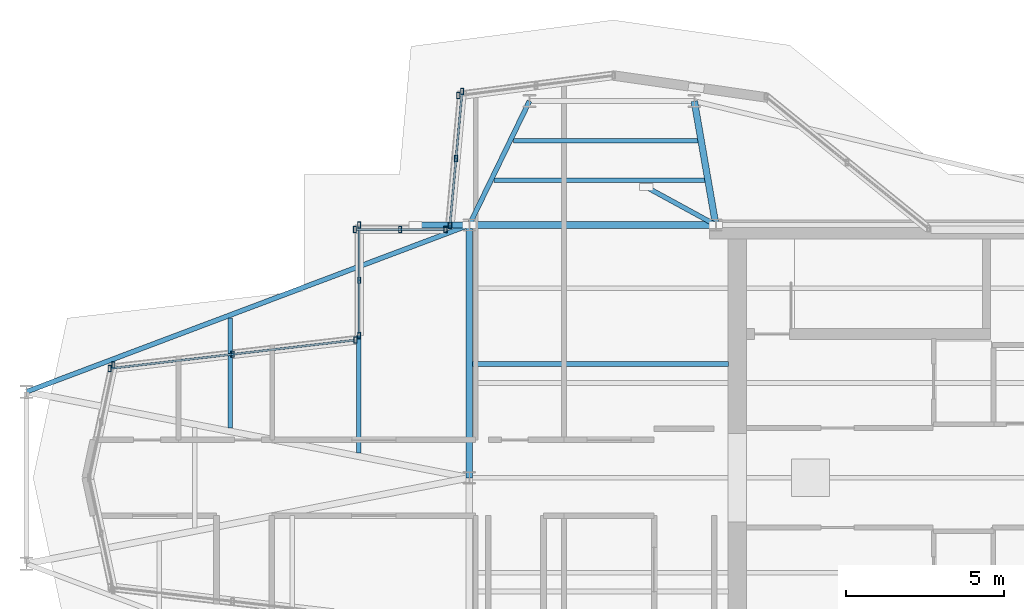
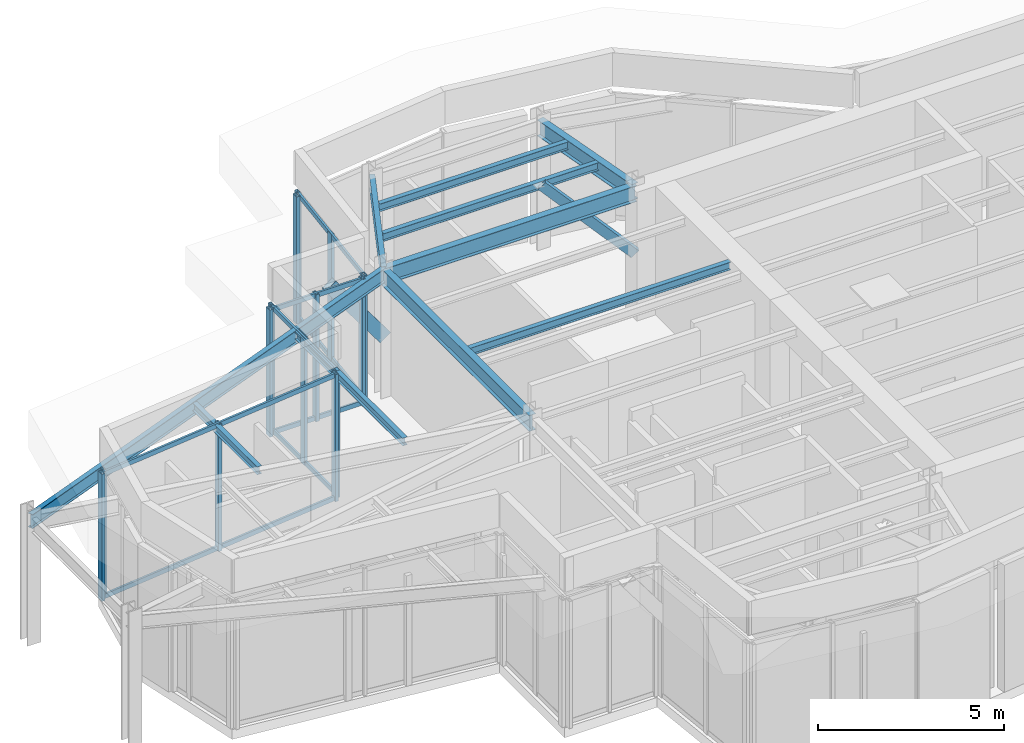
# One storey, part 5 of 11: 24 members, 10 beams, 6 elements without a shape of their own.
"""IFC4 building model written with IfcOpenShell, lengths in metres."""

from ifc_helpers import new_model, si_unit, direction, frame, origin, origin_2d, place, context, subcontext, project, spatial, hollow_rectangle, i_section, extrude, material, layer, layer_set, material_profile, profile_set, type_object, element, aggregate, save


model = new_model("IFC4")

# Units and contexts
model_context = context("Model", 3, precision=1e-05, world=origin(), true_north=direction((0.0, 1.0)))
body_context = subcontext(model_context, "Body", "Model", "MODEL_VIEW")
ifc_project = project(units=[si_unit("LENGTHUNIT", "METRE"), si_unit("AREAUNIT", "SQUARE_METRE"), si_unit("VOLUMEUNIT", "CUBIC_METRE"), si_unit("PLANEANGLEUNIT", "RADIAN"), si_unit("MASSUNIT", "GRAM", prefix="KILO")], contexts=[model_context])

# Site, building, storey
site_placement = place(None, origin())
site = spatial("IfcSite", under=ifc_project, at=site_placement, CompositionType="ELEMENT")
building_placement = place(site_placement, origin())
building = spatial("IfcBuilding", under=site, at=building_placement, Name="Veymaron Broadcast Tower", CompositionType="ELEMENT")
storey_placement = place(building_placement, frame((0.0, 0.0, 336.89990234375)))
storey = spatial("IfcBuildingStorey", under=building, at=storey_placement, Name="L79", CompositionType="ELEMENT", Elevation=336.89990234375)

# Beams
ifc_material_1 = material(Name="Structural steel ASTM A992 Gr 50", Category="steel")
ifc_material_profile_1 = material_profile(ifc_material_1, i_section(OverallWidth=0.208984375, OverallDepth=0.528076171875, WebThickness=0.009521484375, FlangeThickness=0.01318359375, at=origin_2d()), Name="W530X82")
ifc_profile_set_1 = profile_set([ifc_material_profile_1], Name="Structural steel ASTM A992 Gr 50")
beam_type_1 = type_object("IfcBeamType", Name="BM-FG4", PredefinedType="BEAM", material=ifc_profile_set_1)
beam_1_placement = place(storey_placement, frame((31.199951171875, 24.0, 3.906005859375), z_axis=(0.0, 1.0, 0.0), x_axis=(-1.0, 0.0, 0.0)))
element("IfcBeam", 1, at=beam_1_placement, inside=storey, type_object=beam_type_1, Name="L79 primary structural floor girder", PredefinedType="BEAM", context=body_context, shape_type="SweptSolid", body=[
    extrude(i_section(OverallWidth=0.208984375, OverallDepth=0.528076171875, WebThickness=0.009521484375, FlangeThickness=0.01318359375, at=origin_2d()), origin(), (0.0, 0.0, 1.0), 8.0),
])
beam_2_placement = place(storey_placement, frame((31.199951171875, 32.0, 3.906005859375), z_axis=(1.0, 0.0, 0.0), x_axis=(0.0, 1.0, 0.0)))
element("IfcBeam", 2, at=beam_2_placement, inside=storey, type_object=beam_type_1, Name="L79 primary structural floor girder", PredefinedType="BEAM", context=body_context, shape_type="SweptSolid", body=[
    extrude(i_section(OverallWidth=0.208984375, OverallDepth=0.528076171875, WebThickness=0.009521484375, FlangeThickness=0.01318359375, at=origin_2d()), origin(), (0.0, 0.0, 1.0), 7.800048828125),
])
beam_3_placement = place(storey_placement, frame((39.0, 32.0, 3.906005859375), z_axis=(-0.170903490874, 0.985287773601, 0.0), x_axis=(-0.985287773601, -0.170903490874, 0.0)))
element("IfcBeam", 3, at=beam_3_placement, inside=storey, type_object=beam_type_1, Name="L79 primary structural floor girder", PredefinedType="BEAM", context=body_context, shape_type="SweptSolid", body=[
    extrude(i_section(OverallWidth=0.208984375, OverallDepth=0.528076171875, WebThickness=0.009521484375, FlangeThickness=0.01318359375, at=origin_2d()), origin(), (0.0, 0.0, 1.0), 3.978515625),
])
ifc_material_profile_2 = material_profile(ifc_material_1, i_section(OverallWidth=0.14599609375, OverallDepth=0.258056640625, WebThickness=0.006103515625, FlangeThickness=0.009033203125, at=origin_2d()), Name="W250X33")
ifc_profile_set_2 = profile_set([ifc_material_profile_2], Name="Structural steel ASTM A992 Gr 50")
beam_type_2 = type_object("IfcBeamType", Name="BM-JS4", PredefinedType="JOIST", material=ifc_profile_set_2)
beam_4_placement = place(storey_placement, frame((23.63134765625, 25.56884765625, 4.041015625), z_axis=(0.0, 1.0, 0.0), x_axis=(-1.0, 0.0, 0.0)))
element("IfcBeam", 4, at=beam_4_placement, inside=storey, type_object=beam_type_2, Name="L79 Arm-A secondary joist 1N", PredefinedType="JOIST", context=body_context, shape_type="SweptSolid", body=[
    extrude(i_section(OverallWidth=0.14599609375, OverallDepth=0.258056640625, WebThickness=0.006103515625, FlangeThickness=0.009033203125, at=origin_2d()), origin(), (0.0, 0.0, 1.0), 3.47998046875),
])
beam_5_placement = place(storey_placement, frame((27.696044921875, 24.780029296875, 4.041015625), z_axis=(0.0, 1.0, 0.0), x_axis=(-1.0, 0.0, 0.0)))
element("IfcBeam", 5, at=beam_5_placement, inside=storey, type_object=beam_type_2, Name="L79 Arm-A secondary joist 2N", PredefinedType="JOIST", context=body_context, shape_type="SweptSolid", body=[
    extrude(i_section(OverallWidth=0.14599609375, OverallDepth=0.258056640625, WebThickness=0.006103515625, FlangeThickness=0.009033203125, at=origin_2d()), origin(), (0.0, 0.0, 1.0), 5.800048828125),
])
beam_6_placement = place(storey_placement, frame((31.9853515625, 33.4111328125, 4.041015625), z_axis=(1.0, 0.0, 0.0), x_axis=(0.0, 1.0, 0.0)))
element("IfcBeam", 6, at=beam_6_placement, inside=storey, type_object=beam_type_2, Name="L79 Arm-B secondary joist 1", PredefinedType="JOIST", context=body_context, shape_type="SweptSolid", body=[
    extrude(i_section(OverallWidth=0.14599609375, OverallDepth=0.258056640625, WebThickness=0.006103515625, FlangeThickness=0.009033203125, at=origin_2d()), origin(), (0.0, 0.0, 1.0), 6.669921875),
])
beam_7_placement = place(storey_placement, frame((32.5947265625, 34.66552734375, 4.041015625), z_axis=(1.0, 0.0, 0.0), x_axis=(0.0, 1.0, 0.0)))
element("IfcBeam", 7, at=beam_7_placement, inside=storey, type_object=beam_type_2, Name="L79 Arm-B secondary joist 2", PredefinedType="JOIST", context=body_context, shape_type="SweptSolid", body=[
    extrude(i_section(OverallWidth=0.14599609375, OverallDepth=0.258056640625, WebThickness=0.006103515625, FlangeThickness=0.009033203125, at=origin_2d()), origin(), (0.0, 0.0, 1.0), 5.8427734375),
])
beam_8_placement = place(storey_placement, frame((31.300048828125, 27.60009765625, 4.041015625), z_axis=(1.0, 0.0, 0.0), x_axis=(0.0, 1.0, 0.0)))
element("IfcBeam", 8, at=beam_8_placement, inside=storey, type_object=beam_type_2, Name="L79 Hub secondary joist 3", PredefinedType="JOIST", context=body_context, shape_type="SweptSolid", body=[
    extrude(i_section(OverallWidth=0.14599609375, OverallDepth=0.258056640625, WebThickness=0.006103515625, FlangeThickness=0.009033203125, at=origin_2d()), origin(), (0.0, 0.0, 1.0), 8.099853515625),
])
ifc_material_profile_3 = material_profile(ifc_material_1, i_section(OverallWidth=0.154052734375, OverallDepth=0.458984375, WebThickness=0.009033203125, FlangeThickness=0.015380859375, at=origin_2d()), Name="W460X68")
ifc_profile_set_3 = profile_set([ifc_material_profile_3], Name="Structural steel ASTM A992 Gr 50")
beam_type_3 = type_object("IfcBeamType", Name="BM-SP2", PredefinedType="SPANDREL", material=ifc_profile_set_3)
beam_9_placement = place(storey_placement, frame((17.18408203125, 26.719970703125, 3.940673828125), z_axis=(0.935799576277, 0.352532485083, 0.0), x_axis=(-0.352532485083, 0.935799576277, 0.0)))
element("IfcBeam", 9, at=beam_9_placement, inside=storey, type_object=beam_type_3, Name="L79 primary structural floor girder", PredefinedType="SPANDREL", context=body_context, shape_type="SweptSolid", body=[
    extrude(i_section(OverallWidth=0.154052734375, OverallDepth=0.458984375, WebThickness=0.009033203125, FlangeThickness=0.015380859375, at=origin_2d()), origin(), (0.0, 0.0, 1.0), 14.9775390625),
])
beam_10_placement = place(storey_placement, frame((31.199951171875, 32.0, 3.940673828125), z_axis=(0.436920799064, 0.899499980737, 0.0), x_axis=(-0.899499980737, 0.436920799064, 0.0)))
element("IfcBeam", 10, at=beam_10_placement, inside=storey, type_object=beam_type_3, Name="L79 primary structural floor girder", PredefinedType="SPANDREL", context=body_context, shape_type="SweptSolid", body=[
    extrude(i_section(OverallWidth=0.154052734375, OverallDepth=0.458984375, WebThickness=0.009033203125, FlangeThickness=0.015380859375, at=origin_2d()), origin(), (0.0, 0.0, 1.0), 4.35791015625),
])

# Curtain wall, member
ifc_material_2 = material(Name="Anodised aluminium AA 6063-T6 and laminated low-E dark glass", Category="aluminium")
ifc_layer = layer(ifc_material_2, 0.179931640625)
ifc_layer_set = layer_set([ifc_layer], Name="Anodised aluminium AA 6063-T6 and laminated low-E dark glass")
curtain_wall_type = type_object("IfcCurtainWallType", Name="CW-SYS-07", PredefinedType="NOTDEFINED", material=ifc_layer_set)
curtain_wall_1_placement = place(storey_placement, origin())
curtain_wall_1 = element("IfcCurtainWall", 11, at=curtain_wall_1_placement, inside=storey, type_object=curtain_wall_type, Name="L79 dark-glass curtain wall CW-L79-E7-1", PredefinedType="NOTDEFINED")
ifc_material_3 = material(Name="Anodised aluminium AA 6063-T6", Category="aluminium")
ifc_material_profile_4 = material_profile(ifc_material_3, hollow_rectangle(XDim=0.10009765625, YDim=0.199951171875, WallThickness=0.010009765625, at=origin_2d()), Name="RHS200X100X10")
ifc_profile_set_4 = profile_set([ifc_material_profile_4], Name="Anodised aluminium AA 6063-T6")
member_type_1 = type_object("IfcMemberType", Name="CW-MUL-01", PredefinedType="MULLION", material=ifc_profile_set_4)
member_1_placement = place(storey_placement, frame((30.8505859375, 36.09326171875, 0.0), z_axis=(0.0, 0.0, 1.0), x_axis=(1.0, 0.0, 0.0)))
member_1 = element("IfcMember", 12, at=member_1_placement, type_object=member_type_1, Name="CW-L79-E7-1 mullion 2", PredefinedType="MULLION", context=body_context, shape_type="SweptSolid", body=[
    extrude(hollow_rectangle(XDim=0.10009765625, YDim=0.199951171875, WallThickness=0.010009765625, at=origin_2d()), origin(), (0.0, 0.0, 1.0), 4.170166015625),
])
aggregate(curtain_wall_1, [member_1])

# Curtain wall, members
curtain_wall_2_placement = place(storey_placement, origin())
curtain_wall_2 = element("IfcCurtainWall", 13, at=curtain_wall_2_placement, inside=storey, type_object=curtain_wall_type, Name="L79 dark-glass curtain wall CW-L79-E8-1", PredefinedType="NOTDEFINED")
member_2_placement = place(storey_placement, frame((30.9716796875, 36.219482421875, 0.0), z_axis=(0.0, 0.0, 1.0), x_axis=(1.0, 0.0, 0.0)))
member_2 = element("IfcMember", 14, at=member_2_placement, type_object=member_type_1, Name="CW-L79-E8-1 mullion 0", PredefinedType="MULLION", context=body_context, shape_type="SweptSolid", body=[
    extrude(hollow_rectangle(XDim=0.10009765625, YDim=0.199951171875, WallThickness=0.010009765625, at=origin_2d()), origin(), (0.0, 0.0, 1.0), 4.170166015625),
])
member_3_placement = place(storey_placement, frame((30.77978515625, 34.103515625, 0.0), z_axis=(0.0, 0.0, 1.0), x_axis=(1.0, 0.0, 0.0)))
member_3 = element("IfcMember", 15, at=member_3_placement, type_object=member_type_1, Name="CW-L79-E8-1 mullion 1", PredefinedType="MULLION", context=body_context, shape_type="SweptSolid", body=[
    extrude(hollow_rectangle(XDim=0.10009765625, YDim=0.199951171875, WallThickness=0.010009765625, at=origin_2d()), origin(), (0.0, 0.0, 1.0), 4.170166015625),
])
member_4_placement = place(storey_placement, frame((30.587890625, 31.9873046875, 0.0), z_axis=(0.0, 0.0, 1.0), x_axis=(1.0, 0.0, 0.0)))
member_4 = element("IfcMember", 16, at=member_4_placement, type_object=member_type_1, Name="CW-L79-E8-1 mullion 2", PredefinedType="MULLION", context=body_context, shape_type="SweptSolid", body=[
    extrude(hollow_rectangle(XDim=0.10009765625, YDim=0.199951171875, WallThickness=0.010009765625, at=origin_2d()), origin(), (0.0, 0.0, 1.0), 4.170166015625),
])

curtain_wall_3_placement = place(storey_placement, origin())
curtain_wall_3 = element("IfcCurtainWall", 17, at=curtain_wall_3_placement, inside=storey, type_object=curtain_wall_type, Name="L79 dark-glass curtain wall CW-L79-E9-1", PredefinedType="NOTDEFINED")
member_5_placement = place(storey_placement, frame((30.448486328125, 31.860107421875, 0.0), z_axis=(0.0, 0.0, 1.0), x_axis=(1.0, 0.0, 0.0)))
member_5 = element("IfcMember", 18, at=member_5_placement, type_object=member_type_1, Name="CW-L79-E9-1 mullion 0", PredefinedType="MULLION", context=body_context, shape_type="SweptSolid", body=[
    extrude(hollow_rectangle(XDim=0.10009765625, YDim=0.199951171875, WallThickness=0.010009765625, at=origin_2d()), origin(), (0.0, 0.0, 1.0), 4.170166015625),
])
member_6_placement = place(storey_placement, frame((29.01220703125, 31.860107421875, 0.0), z_axis=(0.0, 0.0, 1.0), x_axis=(1.0, 0.0, 0.0)))
member_6 = element("IfcMember", 19, at=member_6_placement, type_object=member_type_1, Name="CW-L79-E9-1 mullion 1", PredefinedType="MULLION", context=body_context, shape_type="SweptSolid", body=[
    extrude(hollow_rectangle(XDim=0.10009765625, YDim=0.199951171875, WallThickness=0.010009765625, at=origin_2d()), origin(), (0.0, 0.0, 1.0), 4.170166015625),
])
member_7_placement = place(storey_placement, frame((27.575927734375, 31.860107421875, 0.0), z_axis=(0.0, 0.0, 1.0), x_axis=(1.0, 0.0, 0.0)))
member_7 = element("IfcMember", 20, at=member_7_placement, type_object=member_type_1, Name="CW-L79-E9-1 mullion 2", PredefinedType="MULLION", context=body_context, shape_type="SweptSolid", body=[
    extrude(hollow_rectangle(XDim=0.10009765625, YDim=0.199951171875, WallThickness=0.010009765625, at=origin_2d()), origin(), (0.0, 0.0, 1.0), 4.170166015625),
])

curtain_wall_4_placement = place(storey_placement, origin())
curtain_wall_4 = element("IfcCurtainWall", 21, at=curtain_wall_4_placement, inside=storey, type_object=curtain_wall_type, Name="L79 dark-glass curtain wall CW-L79-E10-1", PredefinedType="NOTDEFINED")
member_8_placement = place(storey_placement, frame((27.716064453125, 32.0, 0.0), z_axis=(0.0, 0.0, 1.0), x_axis=(1.0, 0.0, 0.0)))
member_8 = element("IfcMember", 22, at=member_8_placement, type_object=member_type_1, Name="CW-L79-E10-1 mullion 0", PredefinedType="MULLION", context=body_context, shape_type="SweptSolid", body=[
    extrude(hollow_rectangle(XDim=0.10009765625, YDim=0.199951171875, WallThickness=0.010009765625, at=origin_2d()), origin(), (0.0, 0.0, 1.0), 4.170166015625),
])
member_9_placement = place(storey_placement, frame((27.716064453125, 30.2490234375, 0.0), z_axis=(0.0, 0.0, 1.0), x_axis=(1.0, 0.0, 0.0)))
member_9 = element("IfcMember", 23, at=member_9_placement, type_object=member_type_1, Name="CW-L79-E10-1 mullion 1", PredefinedType="MULLION", context=body_context, shape_type="SweptSolid", body=[
    extrude(hollow_rectangle(XDim=0.10009765625, YDim=0.199951171875, WallThickness=0.010009765625, at=origin_2d()), origin(), (0.0, 0.0, 1.0), 4.170166015625),
])
member_10_placement = place(storey_placement, frame((27.716064453125, 28.498046875, 0.0), z_axis=(0.0, 0.0, 1.0), x_axis=(1.0, 0.0, 0.0)))
member_10 = element("IfcMember", 24, at=member_10_placement, type_object=member_type_1, Name="CW-L79-E10-1 mullion 2", PredefinedType="MULLION", context=body_context, shape_type="SweptSolid", body=[
    extrude(hollow_rectangle(XDim=0.10009765625, YDim=0.199951171875, WallThickness=0.010009765625, at=origin_2d()), origin(), (0.0, 0.0, 1.0), 4.170166015625),
])

curtain_wall_5_placement = place(storey_placement, origin())
curtain_wall_5 = element("IfcCurtainWall", 25, at=curtain_wall_5_placement, inside=storey, type_object=curtain_wall_type, Name="L79 dark-glass curtain wall CW-L79-E11-1", PredefinedType="NOTDEFINED")
member_11_placement = place(storey_placement, frame((27.592041015625, 28.35888671875, 0.0), z_axis=(0.0, 0.0, 1.0), x_axis=(1.0, 0.0, 0.0)))
member_11 = element("IfcMember", 26, at=member_11_placement, type_object=member_type_1, Name="CW-L79-E11-1 mullion 0", PredefinedType="MULLION", context=body_context, shape_type="SweptSolid", body=[
    extrude(hollow_rectangle(XDim=0.10009765625, YDim=0.199951171875, WallThickness=0.010009765625, at=origin_2d()), origin(), (0.0, 0.0, 1.0), 4.170166015625),
])
member_12_placement = place(storey_placement, frame((23.7041015625, 27.907470703125, 0.0), z_axis=(0.0, 0.0, 1.0), x_axis=(1.0, 0.0, 0.0)))
member_12 = element("IfcMember", 27, at=member_12_placement, type_object=member_type_1, Name="CW-L79-E11-1 mullion 1", PredefinedType="MULLION", context=body_context, shape_type="SweptSolid", body=[
    extrude(hollow_rectangle(XDim=0.10009765625, YDim=0.199951171875, WallThickness=0.010009765625, at=origin_2d()), origin(), (0.0, 0.0, 1.0), 4.170166015625),
])
member_13_placement = place(storey_placement, frame((19.816162109375, 27.4560546875, 0.0), z_axis=(0.0, 0.0, 1.0), x_axis=(1.0, 0.0, 0.0)))
member_13 = element("IfcMember", 28, at=member_13_placement, type_object=member_type_1, Name="CW-L79-E11-1 mullion 2", PredefinedType="MULLION", context=body_context, shape_type="SweptSolid", body=[
    extrude(hollow_rectangle(XDim=0.10009765625, YDim=0.199951171875, WallThickness=0.010009765625, at=origin_2d()), origin(), (0.0, 0.0, 1.0), 4.170166015625),
])

# Curtain wall, member
curtain_wall_6_placement = place(storey_placement, origin())
curtain_wall_6 = element("IfcCurtainWall", 29, at=curtain_wall_6_placement, inside=storey, type_object=curtain_wall_type, Name="L79 dark-glass curtain wall CW-L79-E12-1", PredefinedType="NOTDEFINED")
member_14_placement = place(storey_placement, frame((19.93701171875, 27.56591796875, 0.0), z_axis=(0.0, 0.0, 1.0), x_axis=(1.0, 0.0, 0.0)))
member_14 = element("IfcMember", 30, at=member_14_placement, type_object=member_type_1, Name="CW-L79-E12-1 mullion 0", PredefinedType="MULLION", context=body_context, shape_type="SweptSolid", body=[
    extrude(hollow_rectangle(XDim=0.10009765625, YDim=0.199951171875, WallThickness=0.010009765625, at=origin_2d()), origin(), (0.0, 0.0, 1.0), 4.170166015625),
])
aggregate(curtain_wall_6, [member_14])

# Member
ifc_material_profile_5 = material_profile(ifc_material_3, hollow_rectangle(XDim=0.06494140625, YDim=0.14990234375, WallThickness=0.00390625, at=origin_2d()), Name="AL150X65X4")
ifc_profile_set_5 = profile_set([ifc_material_profile_5], Name="Anodised aluminium AA 6063-T6")
member_type_2 = type_object("IfcMemberType", Name="CW-TRN-01", PredefinedType="USERDEFINED", material=ifc_profile_set_5)
member_15_placement = place(storey_placement, frame((30.96728515625, 36.169677734375, 0.070068359375), z_axis=(-0.090312939387, -0.995913436489, 0.0), x_axis=(0.995913436489, -0.090312939387, 0.0)))
member_15 = element("IfcMember", 31, at=member_15_placement, type_object=member_type_2, Name="CW-L79-E8-1 transom B", ObjectType="TRANSOM", PredefinedType="USERDEFINED", context=body_context, shape_type="SweptSolid", body=[
    extrude(hollow_rectangle(XDim=0.06494140625, YDim=0.14990234375, WallThickness=0.00390625, at=origin_2d()), origin(), (0.0, 0.0, 1.0), 4.1494140625),
])

member_16_placement = place(storey_placement, frame((30.96728515625, 36.169677734375, 4.10009765625), z_axis=(-0.090312939387, -0.995913436489, 0.0), x_axis=(0.995913436489, -0.090312939387, 0.0)))
member_16 = element("IfcMember", 32, at=member_16_placement, type_object=member_type_2, Name="CW-L79-E8-1 transom T", ObjectType="TRANSOM", PredefinedType="USERDEFINED", context=body_context, shape_type="SweptSolid", body=[
    extrude(hollow_rectangle(XDim=0.06494140625, YDim=0.14990234375, WallThickness=0.00390625, at=origin_2d()), origin(), (0.0, 0.0, 1.0), 4.1494140625),
])

aggregate(curtain_wall_2, [member_2, member_3, member_4, member_15, member_16])

member_17_placement = place(storey_placement, frame((30.398681640625, 31.860107421875, 0.070068359375), z_axis=(-1.0, 0.0, 0.0), x_axis=(0.0, -1.0, 0.0)))
member_17 = element("IfcMember", 33, at=member_17_placement, type_object=member_type_2, Name="CW-L79-E9-1 transom B", ObjectType="TRANSOM", PredefinedType="USERDEFINED", context=body_context, shape_type="SweptSolid", body=[
    extrude(hollow_rectangle(XDim=0.06494140625, YDim=0.14990234375, WallThickness=0.00390625, at=origin_2d()), origin(), (0.0, 0.0, 1.0), 2.772705078125),
])

member_18_placement = place(storey_placement, frame((30.398681640625, 31.860107421875, 4.10009765625), z_axis=(-1.0, 0.0, 0.0), x_axis=(0.0, -1.0, 0.0)))
member_18 = element("IfcMember", 34, at=member_18_placement, type_object=member_type_2, Name="CW-L79-E9-1 transom T", ObjectType="TRANSOM", PredefinedType="USERDEFINED", context=body_context, shape_type="SweptSolid", body=[
    extrude(hollow_rectangle(XDim=0.06494140625, YDim=0.14990234375, WallThickness=0.00390625, at=origin_2d()), origin(), (0.0, 0.0, 1.0), 2.772705078125),
])

aggregate(curtain_wall_3, [member_5, member_6, member_7, member_17, member_18])

member_19_placement = place(storey_placement, frame((27.716064453125, 31.949951171875, 0.070068359375), z_axis=(0.0, -1.0, 0.0), x_axis=(1.0, 0.0, 0.0)))
member_19 = element("IfcMember", 35, at=member_19_placement, type_object=member_type_2, Name="CW-L79-E10-1 transom B", ObjectType="TRANSOM", PredefinedType="USERDEFINED", context=body_context, shape_type="SweptSolid", body=[
    extrude(hollow_rectangle(XDim=0.06494140625, YDim=0.14990234375, WallThickness=0.00390625, at=origin_2d()), origin(), (0.0, 0.0, 1.0), 3.40185546875),
])

member_20_placement = place(storey_placement, frame((27.716064453125, 31.949951171875, 4.10009765625), z_axis=(0.0, -1.0, 0.0), x_axis=(1.0, 0.0, 0.0)))
member_20 = element("IfcMember", 36, at=member_20_placement, type_object=member_type_2, Name="CW-L79-E10-1 transom T", ObjectType="TRANSOM", PredefinedType="USERDEFINED", context=body_context, shape_type="SweptSolid", body=[
    extrude(hollow_rectangle(XDim=0.06494140625, YDim=0.14990234375, WallThickness=0.00390625, at=origin_2d()), origin(), (0.0, 0.0, 1.0), 3.40185546875),
])

aggregate(curtain_wall_4, [member_8, member_9, member_10, member_19, member_20])

member_21_placement = place(storey_placement, frame((27.54248046875, 28.353271484375, 0.070068359375), z_axis=(-0.99332649956, -0.115336313761, 0.0), x_axis=(0.115336313761, -0.99332649956, 0.0)))
member_21 = element("IfcMember", 37, at=member_21_placement, type_object=member_type_2, Name="CW-L79-E11-1 transom B", ObjectType="TRANSOM", PredefinedType="USERDEFINED", context=body_context, shape_type="SweptSolid", body=[
    extrude(hollow_rectangle(XDim=0.06494140625, YDim=0.14990234375, WallThickness=0.00390625, at=origin_2d()), origin(), (0.0, 0.0, 1.0), 7.728271484375),
])

member_22_placement = place(storey_placement, frame((27.54248046875, 28.353271484375, 4.10009765625), z_axis=(-0.99332649956, -0.115336313761, 0.0), x_axis=(0.115336313761, -0.99332649956, 0.0)))
member_22 = element("IfcMember", 38, at=member_22_placement, type_object=member_type_2, Name="CW-L79-E11-1 transom T", ObjectType="TRANSOM", PredefinedType="USERDEFINED", context=body_context, shape_type="SweptSolid", body=[
    extrude(hollow_rectangle(XDim=0.06494140625, YDim=0.14990234375, WallThickness=0.00390625, at=origin_2d()), origin(), (0.0, 0.0, 1.0), 7.728271484375),
])

aggregate(curtain_wall_5, [member_11, member_12, member_13, member_21, member_22])

# Members
ifc_material_profile_6 = material_profile(ifc_material_1, hollow_rectangle(XDim=0.14990234375, YDim=0.300048828125, WallThickness=0.011962890625, at=origin_2d()), Name="RHS300X150X12")
ifc_profile_set_6 = profile_set([ifc_material_profile_6], Name="Structural steel ASTM A992 Gr 50")
member_type_3 = type_object("IfcMemberType", Name="MEM-SR1", PredefinedType="STRUT", material=ifc_profile_set_6)
member_23_placement = place(storey_placement, frame((39.0, 32.0, 1.900146484375), z_axis=(-0.649345923099, 0.354182134284, 0.672982085875), x_axis=(-0.47884530469, -0.877899296147, 0.0)))
element("IfcMember", 39, at=member_23_placement, inside=storey, type_object=member_type_3, Name="L79 Crown Parasol Strut 2", PredefinedType="STRUT", context=body_context, shape_type="SweptSolid", body=[
    extrude(hollow_rectangle(XDim=0.14990234375, YDim=0.300048828125, WallThickness=0.011962890625, at=origin_2d()), origin(), (0.0, 0.0, 1.0), 3.387939453125),
])
ifc_material_profile_7 = material_profile(ifc_material_1, hollow_rectangle(XDim=0.199951171875, YDim=0.39990234375, WallThickness=0.01611328125, at=origin_2d()), Name="RHS400X200X16")
ifc_profile_set_7 = profile_set([ifc_material_profile_7], Name="Structural steel ASTM A992 Gr 50")
member_type_4 = type_object("IfcMemberType", Name="MEM-SR2", PredefinedType="STRUT", material=ifc_profile_set_7)
member_24_placement = place(storey_placement, frame((31.199951171875, 32.0, 1.900146484375), z_axis=(-0.597731312625, 0.0, 0.801696499872), x_axis=(0.0, -1.0, 0.0)))
element("IfcMember", 40, at=member_24_placement, inside=storey, type_object=member_type_4, Name="L79 Crown Parasol Strut 6", PredefinedType="STRUT", context=body_context, shape_type="SweptSolid", body=[
    extrude(hollow_rectangle(XDim=0.199951171875, YDim=0.39990234375, WallThickness=0.01611328125, at=origin_2d()), origin(), (0.0, 0.0, 1.0), 2.843994140625),
])

save(model, "model.ifc")
